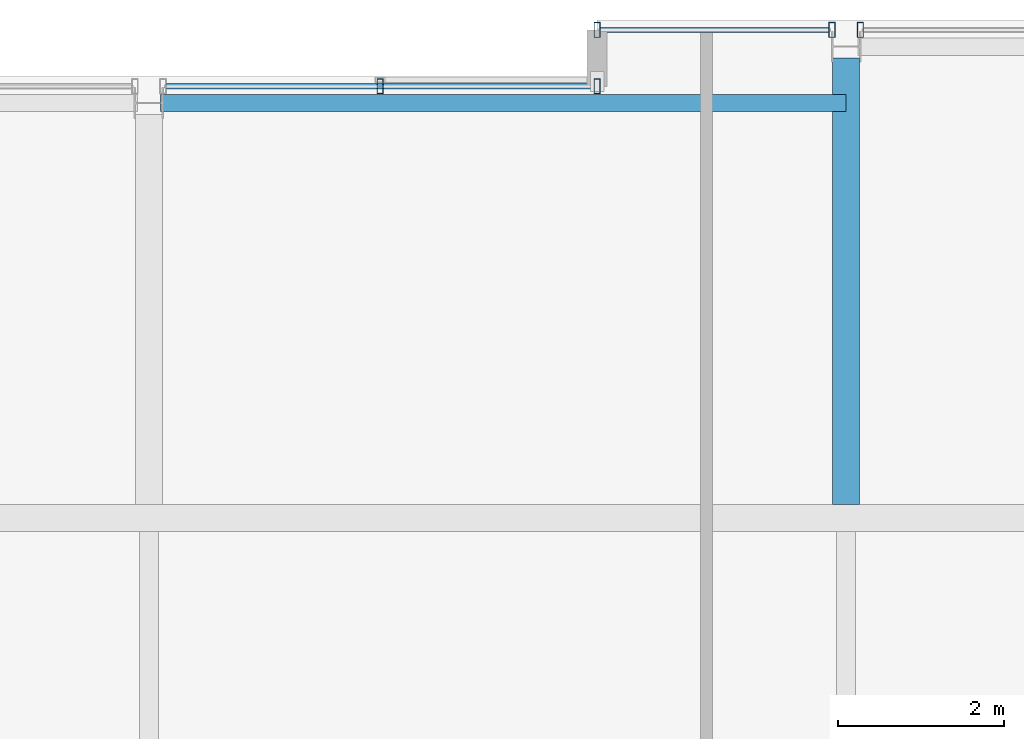
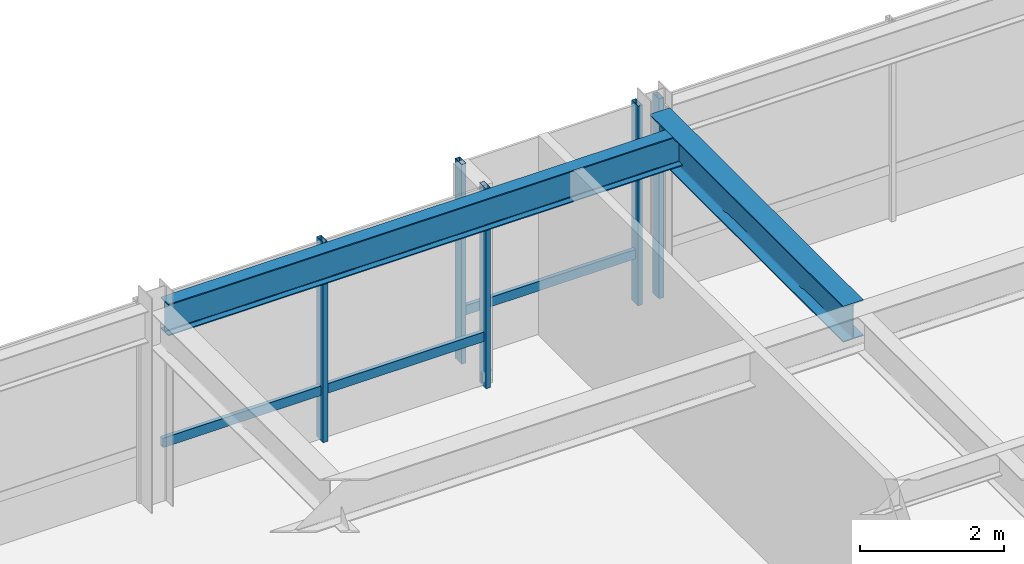
# One storey, part 24 of 34: 7 members, 2 beams, 3 elements without a shape of their own.
"""IFC4 building model written with IfcOpenShell, lengths in metres."""

from ifc_helpers import new_model, si_unit, direction, frame, origin, origin_2d, place, context, subcontext, project, spatial, hollow_rectangle, i_section, extrude, material, layer, layer_set, material_profile, profile_set, type_object, element, aggregate, save


model = new_model("IFC4")

# Units and contexts
model_context = context("Model", 3, precision=1e-05, world=origin(), true_north=direction((0.0, 1.0)))
body_context = subcontext(model_context, "Body", "Model", "MODEL_VIEW")
ifc_project = project(units=[si_unit("LENGTHUNIT", "METRE"), si_unit("AREAUNIT", "SQUARE_METRE"), si_unit("VOLUMEUNIT", "CUBIC_METRE"), si_unit("PLANEANGLEUNIT", "RADIAN"), si_unit("MASSUNIT", "GRAM", prefix="KILO")], contexts=[model_context])

# Site, building, storey
site_placement = place(None, origin())
site = spatial("IfcSite", under=ifc_project, at=site_placement, CompositionType="ELEMENT")
building_placement = place(site_placement, origin())
building = spatial("IfcBuilding", under=site, at=building_placement, Name="Drelvath Grand Hotel", CompositionType="ELEMENT")
storey_placement = place(building_placement, frame((0.0, 0.0, 286.89990234375)))
storey = spatial("IfcBuildingStorey", under=building, at=storey_placement, Name="L75", CompositionType="ELEMENT", Elevation=286.89990234375)

# Curtain wall, member
ifc_material_1 = material(Name="Platinum-Mist Anodised Aluminium Frame", Category="aluminium")
ifc_layer = layer(ifc_material_1, 0.199951171875)
ifc_layer_set = layer_set([ifc_layer], Name="Platinum-Mist Anodised Aluminium Frame")
curtain_wall_type = type_object("IfcCurtainWallType", Name="Stick Curtain Wall CW-05 Platinum Mist High-Rise", PredefinedType="NOTDEFINED", material=ifc_layer_set)
curtain_wall_1_placement = place(storey_placement, origin())
curtain_wall_1 = element("IfcCurtainWall", 1, at=curtain_wall_1_placement, inside=storey, type_object=curtain_wall_type, Name="L75 CW-05 Curtain Wall CW05-L75-NM2", PredefinedType="NOTDEFINED")
ifc_material_profile_1 = material_profile(ifc_material_1, hollow_rectangle(XDim=0.06494140625, YDim=0.159912109375, WallThickness=0.00390625, at=origin_2d()), Name="HSS160X65X4")
ifc_profile_set_1 = profile_set([ifc_material_profile_1], Name="Platinum-Mist Anodised Aluminium Frame")
member_type_1 = type_object("IfcMemberType", Name="Curtain Wall Horizontal Transom CW-05 HSS160X65X4", PredefinedType="USERDEFINED", material=ifc_profile_set_1)
member_1_placement = place(storey_placement, frame((0.210205078125, 48.39990234375, 0.84765625), z_axis=(1.0, 0.0, 0.0), x_axis=(0.0, 1.0, 0.0)))
member_1 = element("IfcMember", 2, at=member_1_placement, type_object=member_type_1, Name="CW05-L75-NM2 Sill Transom", ObjectType="TRANSOM", PredefinedType="USERDEFINED", context=body_context, shape_type="SweptSolid", body=[
    extrude(hollow_rectangle(XDim=0.06494140625, YDim=0.159912109375, WallThickness=0.00390625, at=origin_2d()), origin(), (0.0, 0.0, 1.0), 5.14990234375),
])

curtain_wall_2_placement = place(storey_placement, origin())
curtain_wall_2 = element("IfcCurtainWall", 3, at=curtain_wall_2_placement, inside=storey, type_object=curtain_wall_type, Name="L75 CW-05 Curtain Wall CW05-L75-NE1", PredefinedType="NOTDEFINED")
member_2_placement = place(storey_placement, frame((5.43994140625, 49.080078125, 0.84765625), z_axis=(1.0, 0.0, 0.0), x_axis=(0.0, 1.0, 0.0)))
member_2 = element("IfcMember", 4, at=member_2_placement, type_object=member_type_1, Name="CW05-L75-NE1 Sill Transom", ObjectType="TRANSOM", PredefinedType="USERDEFINED", context=body_context, shape_type="SweptSolid", body=[
    extrude(hollow_rectangle(XDim=0.06494140625, YDim=0.159912109375, WallThickness=0.00390625, at=origin_2d()), origin(), (0.0, 0.0, 1.0), 2.75),
])

# Member
ifc_material_profile_2 = material_profile(ifc_material_1, hollow_rectangle(XDim=0.074951171875, YDim=0.179931640625, WallThickness=0.0048828125, at=origin_2d()), Name="HSS180X75X5")
ifc_profile_set_2 = profile_set([ifc_material_profile_2], Name="Platinum-Mist Anodised Aluminium Frame")
member_type_2 = type_object("IfcMemberType", Name="Curtain Wall Vertical Mullion CW-05 HSS180X75X5", PredefinedType="MULLION", material=ifc_profile_set_2)
member_3_placement = place(storey_placement, frame((2.78515625, 48.39990234375, 0.0), z_axis=(0.0, 0.0, 1.0), x_axis=(1.0, 0.0, 0.0)))
member_3 = element("IfcMember", 5, at=member_3_placement, type_object=member_type_2, Name="CW05-L75-NM2 Mullion 2", PredefinedType="MULLION", context=body_context, shape_type="SweptSolid", body=[
    extrude(hollow_rectangle(XDim=0.074951171875, YDim=0.179931640625, WallThickness=0.0048828125, at=origin_2d()), origin(), (0.0, 0.0, 1.0), 3.39013671875),
])

member_4_placement = place(storey_placement, frame((5.39990234375, 48.39990234375, 0.0), z_axis=(0.0, 0.0, 1.0), x_axis=(1.0, 0.0, 0.0)))
member_4 = element("IfcMember", 6, at=member_4_placement, type_object=member_type_2, Name="CW05-L75-NM2 Mullion 3", PredefinedType="MULLION", context=body_context, shape_type="SweptSolid", body=[
    extrude(hollow_rectangle(XDim=0.074951171875, YDim=0.179931640625, WallThickness=0.0048828125, at=origin_2d()), origin(), (0.0, 0.0, 1.0), 3.39013671875),
])

aggregate(curtain_wall_1, [member_3, member_4, member_1])

member_5_placement = place(storey_placement, frame((5.39990234375, 49.080078125, 0.0), z_axis=(0.0, 0.0, 1.0), x_axis=(1.0, 0.0, 0.0)))
member_5 = element("IfcMember", 7, at=member_5_placement, type_object=member_type_2, Name="CW05-L75-NE1 Mullion 1", PredefinedType="MULLION", context=body_context, shape_type="SweptSolid", body=[
    extrude(hollow_rectangle(XDim=0.074951171875, YDim=0.179931640625, WallThickness=0.0048828125, at=origin_2d()), origin(), (0.0, 0.0, 1.0), 3.39013671875),
])

member_6_placement = place(storey_placement, frame((8.22998046875, 49.080078125, 0.0), z_axis=(0.0, 0.0, 1.0), x_axis=(1.0, 0.0, 0.0)))
member_6 = element("IfcMember", 8, at=member_6_placement, type_object=member_type_2, Name="CW05-L75-NE1 Mullion 2", PredefinedType="MULLION", context=body_context, shape_type="SweptSolid", body=[
    extrude(hollow_rectangle(XDim=0.074951171875, YDim=0.179931640625, WallThickness=0.0048828125, at=origin_2d()), origin(), (0.0, 0.0, 1.0), 3.39013671875),
])

aggregate(curtain_wall_2, [member_5, member_6, member_2])

# Curtain wall, member
curtain_wall_3_placement = place(storey_placement, origin())
curtain_wall_3 = element("IfcCurtainWall", 9, at=curtain_wall_3_placement, inside=storey, type_object=curtain_wall_type, Name="L75 CW-05 Curtain Wall CW05-L75-NE2", PredefinedType="NOTDEFINED")
member_7_placement = place(storey_placement, frame((8.570068359375, 49.080078125, 0.0), z_axis=(0.0, 0.0, 1.0), x_axis=(1.0, 0.0, 0.0)))
member_7 = element("IfcMember", 10, at=member_7_placement, type_object=member_type_2, Name="CW05-L75-NE2 Mullion 1", PredefinedType="MULLION", context=body_context, shape_type="SweptSolid", body=[
    extrude(hollow_rectangle(XDim=0.074951171875, YDim=0.179931640625, WallThickness=0.0048828125, at=origin_2d()), origin(), (0.0, 0.0, 1.0), 3.39013671875),
])
aggregate(curtain_wall_3, [member_7])

# Beams
ifc_material_2 = material(Name="Steel ASTM A992 Gr 50", Category="steel")
ifc_material_profile_3 = material_profile(ifc_material_2, i_section(OverallWidth=0.210205078125, OverallDepth=0.53662109375, WebThickness=0.010986328125, FlangeThickness=0.017333984375, FilletRadius=0.01806640625, at=origin_2d()), Name="W21X68")
ifc_profile_set_3 = profile_set([ifc_material_profile_3], Name="Steel ASTM A992 Gr 50")
beam_type_1 = type_object("IfcBeamType", Name="Perimeter Spandrel Beam W21X68", PredefinedType="SPANDREL", material=ifc_profile_set_3)
beam_1_placement = place(storey_placement, frame((0.139892578125, 48.199951171875, 3.121826171875), z_axis=(1.0, 0.0, 0.0), x_axis=(0.0, 1.0, 0.0)))
element("IfcBeam", 11, at=beam_1_placement, inside=storey, type_object=beam_type_1, Name="L75 Spandrel North Mid E", PredefinedType="SPANDREL", context=body_context, shape_type="SweptSolid", body=[
    extrude(i_section(OverallWidth=0.210205078125, OverallDepth=0.53662109375, WebThickness=0.010986328125, FlangeThickness=0.017333984375, FilletRadius=0.01806640625, at=origin_2d()), origin(), (0.0, 0.0, 1.0), 8.260009765625),
])
ifc_material_profile_4 = material_profile(ifc_material_2, i_section(OverallWidth=0.323974609375, OverallDepth=0.611083984375, WebThickness=0.0126953125, FlangeThickness=0.01904296875, FilletRadius=0.02197265625, at=origin_2d()), Name="W24X104")
ifc_profile_set_4 = profile_set([ifc_material_profile_4], Name="Steel ASTM A992 Gr 50")
beam_type_2 = type_object("IfcBeamType", Name="Primary Floor Girder W24X104", PredefinedType="BEAM", material=ifc_profile_set_4)
beam_2_placement = place(storey_placement, frame((8.39990234375, 43.362060546875, 3.084716796875), z_axis=(0.0, 1.0, 0.0), x_axis=(-1.0, 0.0, 0.0)))
element("IfcBeam", 12, at=beam_2_placement, inside=storey, type_object=beam_type_2, Name="L75 North Wing Girder 6", PredefinedType="BEAM", context=body_context, shape_type="SweptSolid", body=[
    extrude(i_section(OverallWidth=0.323974609375, OverallDepth=0.611083984375, WebThickness=0.0126953125, FlangeThickness=0.01904296875, FilletRadius=0.02197265625, at=origin_2d()), origin(), (0.0, 0.0, 1.0), 5.3779296875),
])

save(model, "model.ifc")
